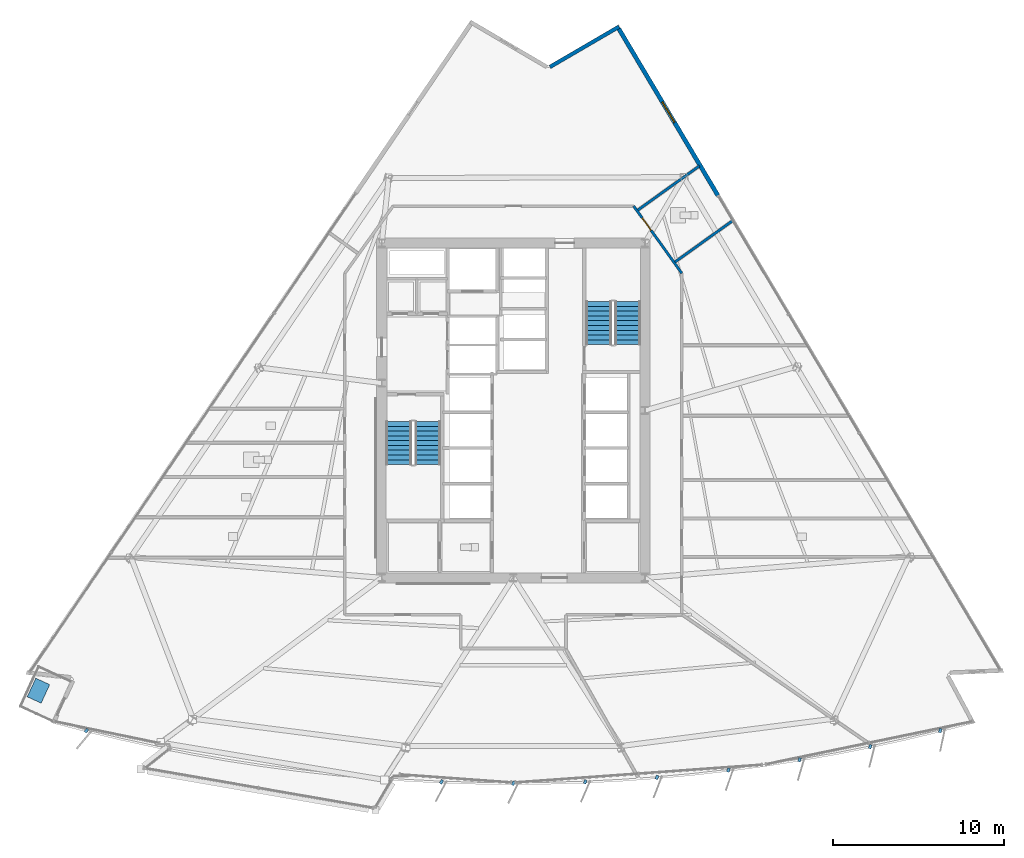
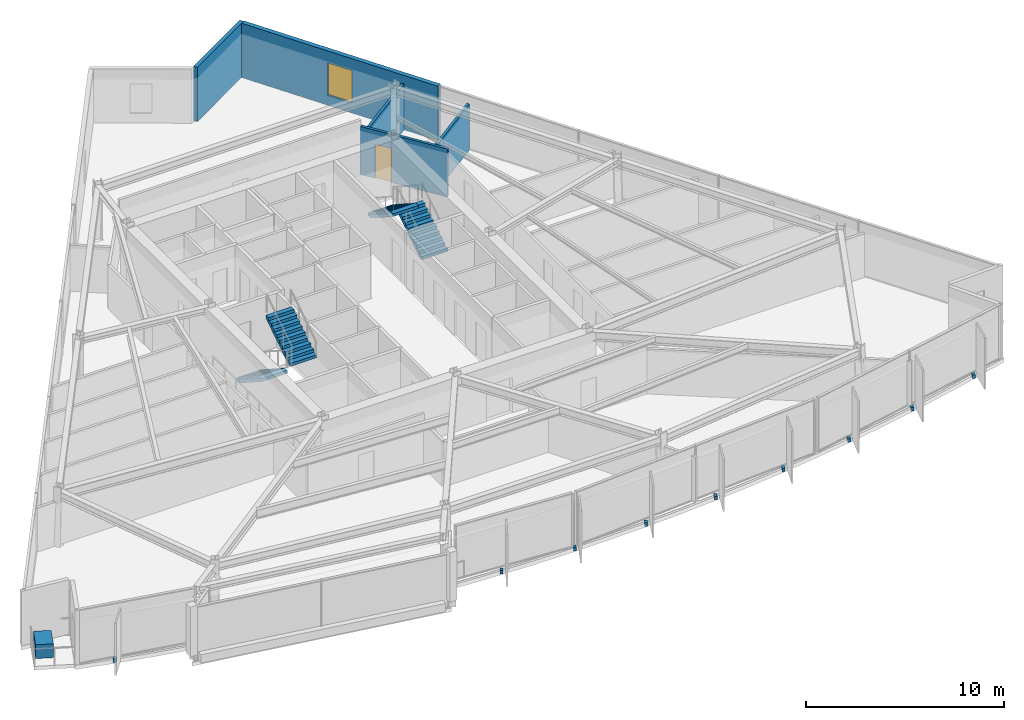
# One storey, part 10 of 15: 10 discrete accessories, 5 walls, 4 stair flights, 1 door, 1 window, 2 openings, 2 elements without a shape of their own.
"""IFC4 building model written with IfcOpenShell, lengths in metres."""

from ifc_helpers import new_model, si_unit, direction, frame, frame_2d, origin, origin_2d, place, context, subcontext, project, spatial, polyline, rectangle, outline, extrude, material, layer, layer_set, type_object, element, fill, aggregate, save


model = new_model("IFC4")

# Units and contexts
model_context = context("Model", 3, precision=1e-05, world=origin(), true_north=direction((0.0, 1.0)))
body_context = subcontext(model_context, "Body", "Model", "MODEL_VIEW")
ifc_project = project(units=[si_unit("LENGTHUNIT", "METRE"), si_unit("AREAUNIT", "SQUARE_METRE"), si_unit("VOLUMEUNIT", "CUBIC_METRE"), si_unit("PLANEANGLEUNIT", "RADIAN"), si_unit("MASSUNIT", "GRAM", prefix="KILO")], contexts=[model_context])

# Site, building, storey
site_placement = place(None, origin())
site = spatial("IfcSite", under=ifc_project, at=site_placement, CompositionType="ELEMENT")
building_placement = place(site_placement, origin())
building = spatial("IfcBuilding", under=site, at=building_placement, Name="Savorim Split Tower", CompositionType="ELEMENT")
storey_placement = place(building_placement, frame((0.0, 0.0, 104.10009765625)))
storey = spatial("IfcBuildingStorey", under=building, at=storey_placement, Name="L27", CompositionType="ELEMENT", Elevation=104.10009765625)

# Wall
ifc_material_1 = material(Name="Precast concrete C40/50", Category="concrete")
ifc_layer_1 = layer(ifc_material_1, 0.219970703125)
ifc_layer_set_1 = layer_set([ifc_layer_1], Name="WAL-EXT-CRN220")
wall_type_1 = type_object("IfcWallType", Name="WAL-EXT-CRN220", PredefinedType="SOLIDWALL", material=ifc_layer_set_1)
wall_1_placement = place(storey_placement, frame((2.141845703125, 20.502197265625, 0.0), z_axis=(0.0, 0.0, 1.0), x_axis=(0.863981097269, 0.503524243272, 0.0)))
element("IfcWall", 1, at=wall_1_placement, inside=storey, type_object=wall_type_1, Name="L27 Notched Corner Facade Wall NE1", PredefinedType="SOLIDWALL", context=body_context, shape_type="SweptSolid", body=[
    extrude(rectangle(XDim=4.684326171875, YDim=0.219970703125, at=frame_2d((2.34228515625, 0.0))), origin(), (0.0, 0.0, 1.0), 3.349853515625),
])

# Wall, opening, window
ifc_layer_2 = layer(ifc_material_1, 0.25)
ifc_layer_set_2 = layer_set([ifc_layer_2], Name="WAL-EXT-SPN250")
wall_type_2 = type_object("IfcWallType", Name="WAL-EXT-SPN250", PredefinedType="SOLIDWALL", material=ifc_layer_set_2)
wall_2_placement = place(storey_placement, frame((6.17236328125, 22.734130859375, 0.0), z_axis=(0.0, 0.0, 1.0), x_axis=(0.511105869751, -0.859517765905, 0.0)))
wall_2 = element("IfcWall", 2, at=wall_2_placement, inside=storey, type_object=wall_type_2, Name="L27 East Operable Window Pier", PredefinedType="SOLIDWALL", context=body_context, shape_type="SweptSolid", body=[
    extrude(rectangle(XDim=11.356689453125, YDim=0.25, at=frame_2d((5.67822265625, 0.0))), origin(), (0.0, 0.0, 1.0), 3.349853515625),
])
opening_1_placement = place(wall_2_placement, frame((4.978515625, 0.0, 0.6201171875)))
opening_1 = element("IfcOpeningElement", 3, at=opening_1_placement, cuts=wall_2, Name="Opening WN-07", PredefinedType="OPENING", context=body_context, shape_type="SweptSolid", body=[
    extrude(rectangle(XDim=1.39990234375, YDim=2.0, at=frame_2d((0.699951171875, 1.0))), frame((0.0, 0.135009765625, 0.0), z_axis=(0.0, -1.0, 0.0), x_axis=(1.0, 0.0, 0.0)), (0.0, 0.0, 1.0), 0.27001953125),
])
ifc_material_2 = material(Name="Low-E Operable Double Glazing", Category="glass")
window_type = type_object("IfcWindowType", Name="WIN-TWR-1400x2000", PartitioningType="SINGLE_PANEL", PredefinedType="WINDOW", material=ifc_material_2)
window_placement = place(opening_1_placement, origin())
window = element("IfcWindow", 4, at=window_placement, inside=storey, type_object=window_type, Name="L27 East Operable Ventilation Window", OverallHeight=2.0, OverallWidth=1.39990234375, PartitioningType="SINGLE_PANEL", PredefinedType="WINDOW", context=body_context, shape_type="SweptSolid", body=[
    extrude(rectangle(XDim=1.39990234375, YDim=2.0, at=frame_2d((0.699951171875, 1.0))), frame((0.0, 0.030029296875, 0.0), z_axis=(0.0, -1.0, 0.0), x_axis=(1.0, 0.0, 0.0)), (0.0, 0.0, 1.0), 0.06005859375),
])
fill(opening_1, window)

# Wall, opening, door
ifc_material_3 = material(Name="Acoustic Gypsum Partition Board")
ifc_layer_3 = layer(ifc_material_3, 0.14990234375)
ifc_layer_set_3 = layer_set([ifc_layer_3], Name="WAL-PAR-150")
wall_type_3 = type_object("IfcWallType", Name="WAL-PAR-150", PredefinedType="PARTITIONING", material=ifc_layer_set_3)
wall_3_placement = place(storey_placement, frame((7.041015625, 12.360107421875, 0.0), z_axis=(0.0, 0.0, 1.0), x_axis=(0.582449511476, -0.812866881218, 0.0)))
wall_3 = element("IfcWall", 5, at=wall_3_placement, inside=storey, type_object=wall_type_3, Name="L27 Partition W-L27-COR-04", PredefinedType="PARTITIONING", context=body_context, shape_type="SweptSolid", body=[
    extrude(rectangle(XDim=4.840087890625, YDim=0.14990234375, at=frame_2d((2.419921875, 0.0))), origin(), (0.0, 0.0, 1.0), 2.96484375),
])
opening_2_placement = place(wall_3_placement, frame((0.851318359375, 0.0, 0.0)))
opening_2 = element("IfcOpeningElement", 6, at=opening_2_placement, cuts=wall_3, Name="Opening DI-11", PredefinedType="OPENING", context=body_context, shape_type="SweptSolid", body=[
    extrude(rectangle(XDim=0.89990234375, YDim=2.10009765625, at=frame_2d((0.449951171875, 1.050048828125))), frame((0.0, 0.0849609375, 0.0), z_axis=(0.0, -1.0, 0.0), x_axis=(1.0, 0.0, 0.0)), (0.0, 0.0, 1.0), 0.169921875),
])
ifc_material_4 = material(Name="Oak Veneer Acoustic Door")
door_type = type_object("IfcDoorType", Name="DOR-WC-900", OperationType="NOTDEFINED", PredefinedType="DOOR", material=ifc_material_4)
door_placement = place(opening_2_placement, origin())
door = element("IfcDoor", 7, at=door_placement, inside=storey, type_object=door_type, Name="DR-L27-RM13 - L27 Shared Bathroom Entry Door", OperationType="SINGLE_SWING_RIGHT", OverallHeight=2.10009765625, OverallWidth=0.89990234375, PredefinedType="DOOR", context=body_context, shape_type="SweptSolid", body=[
    extrude(rectangle(XDim=0.89990234375, YDim=2.10009765625, at=frame_2d((0.449951171875, 1.050048828125))), frame((0.0, 0.02490234375, 0.0), z_axis=(0.0, -1.0, 0.0), x_axis=(1.0, 0.0, 0.0)), (0.0, 0.0, 1.0), 0.050048828125),
])
fill(opening_2, door)

# Walls
wall_4_placement = place(storey_placement, frame((7.2841796875, 12.123779296875, 0.0), z_axis=(0.0, 0.0, 1.0), x_axis=(0.812861885151, 0.582456483927, 0.0)))
element("IfcWall", 8, at=wall_4_placement, inside=storey, type_object=wall_type_3, Name="L27 Partition W-L27-PRAD07", PredefinedType="PARTITIONING", context=body_context, shape_type="SweptSolid", body=[
    extrude(rectangle(XDim=4.433349609375, YDim=0.14990234375, at=frame_2d((2.216796875, 0.0))), origin(), (0.0, 0.0, 1.0), 2.8349609375),
])
wall_5_placement = place(storey_placement, frame((9.459716796875, 9.08740234375, 0.0), z_axis=(0.0, 0.0, 1.0), x_axis=(0.812890639248, 0.582416353327, 0.0)))
element("IfcWall", 9, at=wall_5_placement, inside=storey, type_object=wall_type_3, Name="L27 Partition W-L27-SUB08", PredefinedType="PARTITIONING", context=body_context, shape_type="SweptSolid", body=[
    extrude(rectangle(XDim=4.1142578125, YDim=0.14990234375, at=frame_2d((2.05712890625, 0.0))), origin(), (0.0, 0.0, 1.0), 2.8349609375),
])

# Stair, stair flights
ifc_material_5 = material(Name="Concrete C50/60", Category="concrete")
stair_type = type_object("IfcStairType", Name="STR-DOG-3600", PredefinedType="HALF_TURN_STAIR", material=ifc_material_5)
stair_1_placement = place(storey_placement, origin())
stair_1 = element("IfcStair", 10, at=stair_1_placement, inside=storey, type_object=stair_type, Name="L27 Core Protected Exit Stair ST-1", PredefinedType="HALF_TURN_STAIR")
stair_flight_type = type_object("IfcStairFlightType", Name="SFL-DOG-3600", PredefinedType="STRAIGHT", material=ifc_material_5)
stair_flight_1_placement = place(storey_placement, frame((-6.699951171875, -0.25, 0.0), z_axis=(0.0, 0.0, 1.0), x_axis=(0.0, -1.0, 0.0)))
stair_flight_1 = element("IfcStairFlight", 11, at=stair_flight_1_placement, type_object=stair_flight_type, Name="ST-1 flight 1", NumberOfRisers=10, NumberOfTreads=9, PredefinedType="STRAIGHT", RiserHeight=0.18, TreadLength=0.28, context=body_context, shape_type="SweptSolid", body=[
    extrude(outline(polyline([(0.0, 0.0), (0.0, 0.179931640625), (0.280029296875, 0.179931640625), (0.280029296875, 0.360107421875), (0.56005859375, 0.360107421875), (0.56005859375, 0.5400390625), (0.840087890625, 0.5400390625), (0.840087890625, 0.719970703125), (1.1201171875, 0.719970703125), (1.1201171875, 0.89990234375), (1.39990234375, 0.89990234375), (1.39990234375, 1.080078125), (1.679931640625, 1.080078125), (1.679931640625, 1.260009765625), (1.9599609375, 1.260009765625), (1.9599609375, 1.43994140625), (2.239990234375, 1.43994140625), (2.239990234375, 1.6201171875), (2.52001953125, 1.6201171875), (2.52001953125, 1.800048828125), (2.52001953125, 1.44189453125), (0.277099609375, 0.0), (0.0, 0.0)])), frame((0.0, 0.75, 0.0), z_axis=(0.0, -1.0, 0.0), x_axis=(1.0, 0.0, 0.0)), (0.0, 0.0, 1.0), 1.5),
])
stair_flight_2_placement = place(storey_placement, frame((-5.0, -2.77001953125, 1.7998046875), z_axis=(0.0, 0.0, 1.0), x_axis=(0.0, 1.0, 0.0)))
stair_flight_2 = element("IfcStairFlight", 12, at=stair_flight_2_placement, type_object=stair_flight_type, Name="ST-1 flight 2", NumberOfRisers=10, NumberOfTreads=9, PredefinedType="STRAIGHT", RiserHeight=0.18, TreadLength=0.28, context=body_context, shape_type="SweptSolid", body=[
    extrude(outline(polyline([(0.0, 0.0), (0.0, 0.179931640625), (0.280029296875, 0.179931640625), (0.280029296875, 0.360107421875), (0.56005859375, 0.360107421875), (0.56005859375, 0.5400390625), (0.840087890625, 0.5400390625), (0.840087890625, 0.719970703125), (1.1201171875, 0.719970703125), (1.1201171875, 0.89990234375), (1.39990234375, 0.89990234375), (1.39990234375, 1.080078125), (1.679931640625, 1.080078125), (1.679931640625, 1.260009765625), (1.9599609375, 1.260009765625), (1.9599609375, 1.43994140625), (2.239990234375, 1.43994140625), (2.239990234375, 1.6201171875), (2.52001953125, 1.6201171875), (2.52001953125, 1.800048828125), (2.52001953125, 1.44189453125), (0.277099609375, 0.0), (0.0, 0.0)])), frame((0.0, 0.75, 0.0), z_axis=(0.0, -1.0, 0.0), x_axis=(1.0, 0.0, 0.0)), (0.0, 0.0, 1.0), 1.5),
])
aggregate(stair_1, [stair_flight_1, stair_flight_2])

stair_2_placement = place(storey_placement, origin())
stair_2 = element("IfcStair", 13, at=stair_2_placement, inside=storey, type_object=stair_type, Name="L27 Core Protected Exit Stair ST-2", PredefinedType="HALF_TURN_STAIR")
stair_flight_3_placement = place(storey_placement, frame((6.699951171875, 4.25, 0.0), z_axis=(0.0, 0.0, 1.0), x_axis=(0.0, 1.0, 0.0)))
stair_flight_3 = element("IfcStairFlight", 14, at=stair_flight_3_placement, type_object=stair_flight_type, Name="ST-2 flight 1", NumberOfRisers=10, NumberOfTreads=9, PredefinedType="STRAIGHT", RiserHeight=0.18, TreadLength=0.28, context=body_context, shape_type="SweptSolid", body=[
    extrude(outline(polyline([(0.0, 0.0), (0.0, 0.179931640625), (0.280029296875, 0.179931640625), (0.280029296875, 0.360107421875), (0.56005859375, 0.360107421875), (0.56005859375, 0.5400390625), (0.840087890625, 0.5400390625), (0.840087890625, 0.719970703125), (1.1201171875, 0.719970703125), (1.1201171875, 0.89990234375), (1.39990234375, 0.89990234375), (1.39990234375, 1.080078125), (1.679931640625, 1.080078125), (1.679931640625, 1.260009765625), (1.9599609375, 1.260009765625), (1.9599609375, 1.43994140625), (2.239990234375, 1.43994140625), (2.239990234375, 1.6201171875), (2.52001953125, 1.6201171875), (2.52001953125, 1.800048828125), (2.52001953125, 1.44189453125), (0.277099609375, 0.0), (0.0, 0.0)])), frame((0.0, 0.75, 0.0), z_axis=(0.0, -1.0, 0.0), x_axis=(1.0, 0.0, 0.0)), (0.0, 0.0, 1.0), 1.5),
])
stair_flight_4_placement = place(storey_placement, frame((5.0, 6.77001953125, 1.7998046875), z_axis=(0.0, 0.0, 1.0), x_axis=(0.0, -1.0, 0.0)))
stair_flight_4 = element("IfcStairFlight", 15, at=stair_flight_4_placement, type_object=stair_flight_type, Name="ST-2 flight 2", NumberOfRisers=10, NumberOfTreads=9, PredefinedType="STRAIGHT", RiserHeight=0.18, TreadLength=0.28, context=body_context, shape_type="SweptSolid", body=[
    extrude(outline(polyline([(0.0, 0.0), (0.0, 0.179931640625), (0.280029296875, 0.179931640625), (0.280029296875, 0.360107421875), (0.56005859375, 0.360107421875), (0.56005859375, 0.5400390625), (0.840087890625, 0.5400390625), (0.840087890625, 0.719970703125), (1.1201171875, 0.719970703125), (1.1201171875, 0.89990234375), (1.39990234375, 0.89990234375), (1.39990234375, 1.080078125), (1.679931640625, 1.080078125), (1.679931640625, 1.260009765625), (1.9599609375, 1.260009765625), (1.9599609375, 1.43994140625), (2.239990234375, 1.43994140625), (2.239990234375, 1.6201171875), (2.52001953125, 1.6201171875), (2.52001953125, 1.800048828125), (2.52001953125, 1.44189453125), (0.277099609375, 0.0), (0.0, 0.0)])), frame((0.0, 0.75, 0.0), z_axis=(0.0, -1.0, 0.0), x_axis=(1.0, 0.0, 0.0)), (0.0, 0.0, 1.0), 1.5),
])
aggregate(stair_2, [stair_flight_3, stair_flight_4])

# Discrete accessories
ifc_material_6 = material(Name="Steel S355", Category="steel")
discrete_accessory_type_1 = type_object("IfcDiscreteAccessoryType", Name="ACC-BRK-FIN", PredefinedType="BRACKET", material=ifc_material_6)
for number, where, z_axis, x_axis, name in (
    (16, (-24.9814453125, -18.338134765625, -0.18994140625), (0.0, 0.0, 1.0), (-0.643719022682, -0.765261928909, 0.0), "L27 Fin Slab-Edge Cleat Bracket 01"),
    (17, (-4.20458984375, -21.334716796875, -0.18994140625), (0.0, 0.0, 1.0), (-0.474778051978, -0.880105562623, 0.0), "L27 Fin Slab-Edge Cleat Bracket 06"),
    (18, (0.0, -21.4208984375, -0.18994140625), (0.0, 0.0, 1.0), (-0.438371146789, -0.898794046299, 0.0), "L27 Fin Slab-Edge Cleat Bracket 07"),
    (19, (4.20458984375, -21.334716796875, -0.18994140625), (0.0, 0.0, 1.0), (-0.401230091723, -0.915977299662, 0.0), "L27 Fin Slab-Edge Cleat Bracket 08"),
    (20, (8.402099609375, -21.07666015625, -0.18994140625), (0.0, 0.0, 1.0), (-0.363415461732, -0.931627179817, 0.0), "L27 Fin Slab-Edge Cleat Bracket 09"),
    (21, (12.58544921875, -20.647216796875, -0.18994140625), (0.0, 0.0, 1.0), (-0.324993810493, -0.945716143005, 0.0), "L27 Fin Slab-Edge Cleat Bracket 10"),
    (22, (16.747802734375, -20.046875, -0.18994140625), (0.0, 0.0, 1.0), (-0.286026212504, -0.958221793616, 0.0), "L27 Fin Slab-Edge Cleat Bracket 11"),
    (23, (20.882080078125, -19.276611328125, -0.18994140625), (0.0, 0.0, 1.0), (-0.246581250663, -0.969122121727, 0.0), "L27 Fin Slab-Edge Cleat Bracket 12"),
    (24, (24.9814453125, -18.338134765625, -0.18994140625), (0.0, 0.0, 1.0), (-0.206721626106, -0.978399800337, 0.0), "L27 Fin Slab-Edge Cleat Bracket 13"),
):
    element("IfcDiscreteAccessory", number, at=place(storey_placement, frame(where, z_axis=z_axis, x_axis=x_axis)), inside=storey, type_object=discrete_accessory_type_1, Name=name, PredefinedType="BRACKET", context=body_context, shape_type="SweptSolid", body=[
        extrude(rectangle(XDim=0.239990234375, YDim=0.159912109375, at=origin_2d()), origin(), (0.0, 0.0, 1.0), 0.219970703125),
    ])
ifc_material_7 = material(Name="Architectural Precast Planter Concrete C40/50", Category="concrete")
discrete_accessory_type_2 = type_object("IfcDiscreteAccessoryType", Name="ACC-PLN-TREE", PredefinedType="USERDEFINED", material=ifc_material_7)
discrete_accessory_placement = place(storey_placement, frame((-27.7900390625, -16.00146484375, -0.000244140625), z_axis=(0.0, 0.0, 1.0), x_axis=(-0.417489654037, -0.908681676261, 0.0)))
element("IfcDiscreteAccessory", 25, at=discrete_accessory_placement, inside=storey, type_object=discrete_accessory_type_2, Name="L27 Balcony Precast Tree Planter SW", ObjectType="PLANTER", PredefinedType="USERDEFINED", context=body_context, shape_type="SweptSolid", body=[
    extrude(rectangle(XDim=1.199951171875, YDim=0.89990234375, at=origin_2d()), origin(), (0.0, 0.0, 1.0), 0.85009765625),
])

save(model, "model.ifc")
